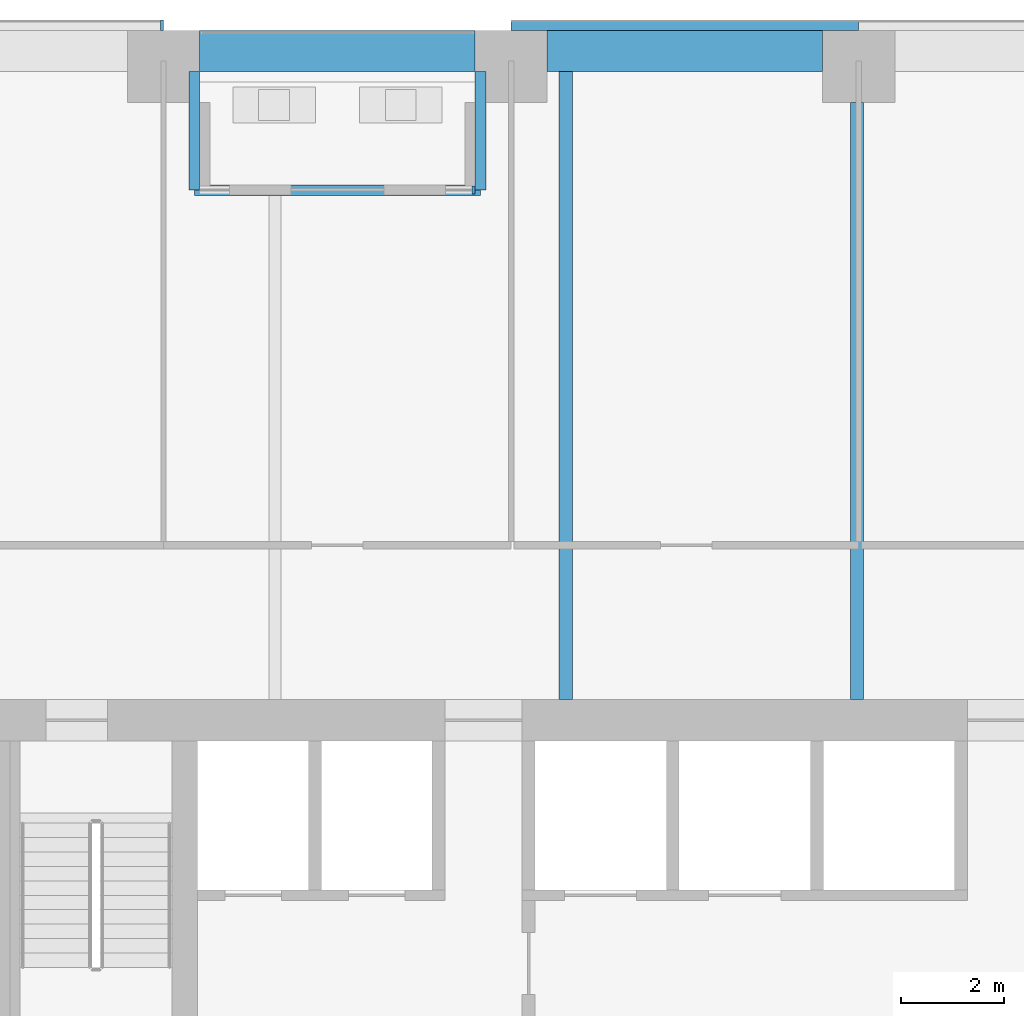
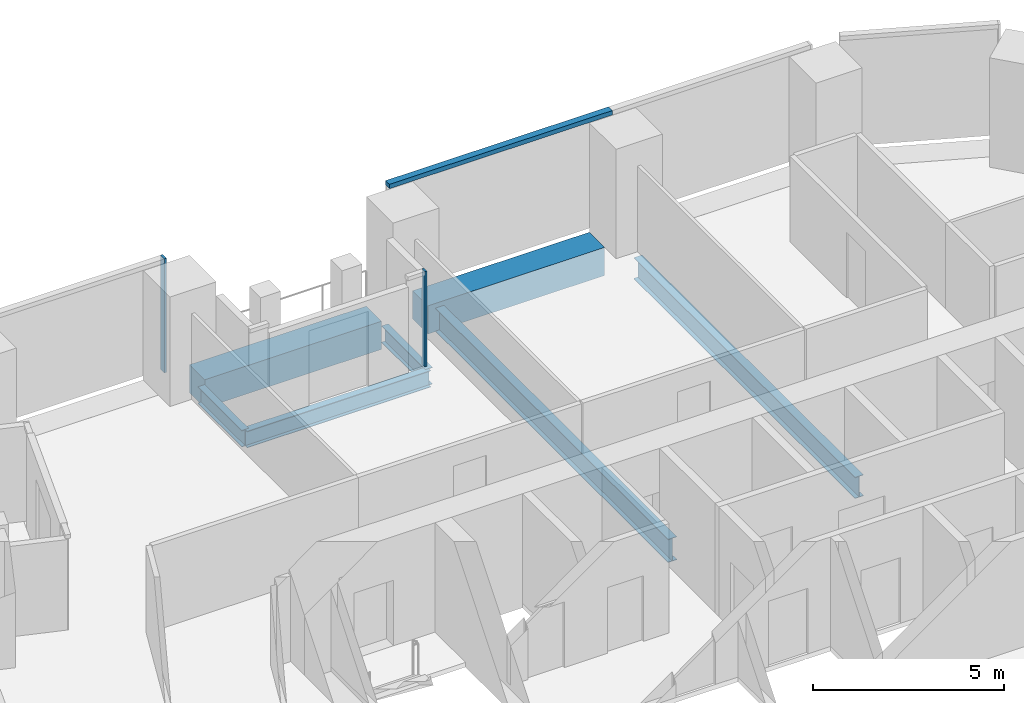
# One storey, part 9 of 26: 7 beams, 3 members, 2 elements without a shape of their own.
"""IFC4 building model written with IfcOpenShell, lengths in metres."""

import ifcopenshell
import ifcopenshell.guid

model = None  # the IFC model being written
_history = None  # IfcOwnerHistory: only IFC2X3 demands one
_inside = {}  # id of a spatial element -> (the spatial element, [elements in it])
_under = {}  # id of a project, library or spatial element -> (it, [spatial elements below it])
_declared = {}  # id of a project -> (the project, [libraries it declares])
_typed = {}  # id of a type object -> (the type object, [elements of that type])
_made_of = {}  # id of a material, layer set ... -> (it, [elements and type objects made of it])


def new_model(schema):
    """Start an empty IFC model of exactly this schema.

    Asked for "IFC4X3", IfcOpenShell would pick the latest addendum, in which some entities
    have other attributes; the version numbers below select the first issue.
    IFC2X3 requires an IfcOwnerHistory on every rooted entity: one is made here for all.
    """
    global model, _history
    if schema == "IFC4X3":
        model = ifcopenshell.file(schema_version=(4, 3, 0, 0))
    else:
        model = ifcopenshell.file(schema=schema)
    _inside.clear()
    _under.clear()
    _declared.clear()
    _typed.clear()
    _made_of.clear()
    _history = None
    if model.schema == "IFC2X3":
        org = make("IfcOrganization", Name="unknown")
        user = make(
            "IfcPersonAndOrganization",
            ThePerson=make("IfcPerson", FamilyName="unknown"),
            TheOrganization=org,
        )
        app = make(
            "IfcApplication",
            ApplicationDeveloper=org,
            Version="unknown",
            ApplicationFullName="unknown",
            ApplicationIdentifier="unknown",
        )
        _history = make(
            "IfcOwnerHistory",
            OwningUser=user,
            OwningApplication=app,
            ChangeAction="ADDED",
            CreationDate=0,
        )
    return model


def make(cls, **values):
    """One entity of the class cls with the attributes given. An attribute that is None is left unset."""
    return model.create_entity(
        cls, **{name: value for name, value in values.items() if value is not None}
    )


def rooted(cls, **values):
    """An entity with a GlobalId (a new one), such as an element, a storey or a relation."""
    return make(cls, GlobalId=ifcopenshell.guid.new(), OwnerHistory=_history, **values)


def si_unit(unit_type, name, prefix=None):
    """IfcSIUnit, for example si_unit("LENGTHUNIT", "METRE", prefix="MILLI")."""
    return make("IfcSIUnit", UnitType=unit_type, Prefix=prefix, Name=name)


def assignment(units):
    """IfcUnitAssignment: the units of a project."""
    return None if units is None else make("IfcUnitAssignment", Units=units)


def point(xyz):
    """IfcCartesianPoint."""
    return None if xyz is None else make("IfcCartesianPoint", Coordinates=xyz)


def direction(xyz):
    """IfcDirection."""
    return None if xyz is None else make("IfcDirection", DirectionRatios=xyz)


def frame(location, z_axis=None, x_axis=None):
    """IfcAxis2Placement3D, a coordinate frame: its origin and axes. An axis left out is left unset."""
    return make(
        "IfcAxis2Placement3D",
        Location=point(location),
        Axis=direction(z_axis),
        RefDirection=direction(x_axis),
    )


def frame_2d(location, x_axis=None):
    """IfcAxis2Placement2D, a coordinate frame in the plane: its origin and x axis."""
    return make(
        "IfcAxis2Placement2D", Location=point(location), RefDirection=direction(x_axis)
    )


def origin():
    """The frame at (0, 0, 0) with its axes left unset."""
    return frame((0.0, 0.0, 0.0))


def origin_2d():
    """The frame at (0, 0) in the plane with its x axis left unset."""
    return frame_2d((0.0, 0.0))


def place(relative_to, where):
    """IfcLocalPlacement: puts the frame where relative to a parent placement (None: the world)."""
    return make(
        "IfcLocalPlacement", PlacementRelTo=relative_to, RelativePlacement=where
    )


def context(
    kind, dimensions, precision=None, world=None, true_north=None, identifier=None
):
    """IfcGeometricRepresentationContext, for example the 3D "Model" context."""
    return make(
        "IfcGeometricRepresentationContext",
        ContextIdentifier=identifier,
        ContextType=kind,
        CoordinateSpaceDimension=dimensions,
        Precision=precision,
        WorldCoordinateSystem=world,
        TrueNorth=true_north,
    )


def subcontext(parent, identifier, kind, view, scale=None):
    """IfcGeometricRepresentationSubContext, for example "Body" below "Model"."""
    return make(
        "IfcGeometricRepresentationSubContext",
        ContextIdentifier=identifier,
        ContextType=kind,
        ParentContext=parent,
        TargetScale=scale,
        TargetView=view,
    )


def project(units=None, contexts=None):
    """IfcProject with its units and contexts."""
    return rooted(
        "IfcProject",
        Name="project",
        RepresentationContexts=contexts,
        UnitsInContext=assignment(units),
    )


def spatial(cls, under=None, at=None, **own):
    """A site, building, storey or space (cls), placed at a placement, below another one or the project."""
    s = rooted(cls, ObjectPlacement=at, **own)
    if under is not None:
        _under.setdefault(under.id(), (under, []))[1].append(s)
    return s


def profile(cls, at=None, kind="AREA", **sizes):
    """A parametric profile (cls). Its sizes go by their IFC names, for example OverallWidth=200.0."""
    return make(cls, ProfileType=kind, Position=at, **sizes)


def rectangle(**sizes):
    """IfcRectangleProfileDef."""
    return profile("IfcRectangleProfileDef", **sizes)


def i_section(**sizes):
    """IfcIShapeProfileDef."""
    return profile("IfcIShapeProfileDef", **sizes)


def extrude(swept, where, along, depth):
    """IfcExtrudedAreaSolid: the profile swept, set in the frame where, extruded along a direction by depth."""
    return make(
        "IfcExtrudedAreaSolid",
        SweptArea=swept,
        Position=where,
        ExtrudedDirection=direction(along),
        Depth=depth,
    )


def shape(context_of_items, identifier, shape_type, items):
    """IfcShapeRepresentation: the items that make up one representation, for example the "Body"."""
    return make(
        "IfcShapeRepresentation",
        ContextOfItems=context_of_items,
        RepresentationIdentifier=identifier,
        RepresentationType=shape_type,
        Items=items,
    )


def material(Name=None, Category=None):
    """IfcMaterial."""
    return make("IfcMaterial", Name=Name, Category=Category)


def layer(
    of_material, thickness, ventilated=None, Name=None, Category=None, Priority=None
):
    """IfcMaterialLayer: one layer of a wall or slab, of a material (None: an air gap)."""
    return make(
        "IfcMaterialLayer",
        Material=of_material,
        LayerThickness=thickness,
        IsVentilated=ventilated,
        Name=Name,
        Category=Category,
        Priority=Priority,
    )


def layer_set(layers, Name=None):
    """IfcMaterialLayerSet."""
    return make("IfcMaterialLayerSet", MaterialLayers=layers, LayerSetName=Name)


def material_profile(
    of_material, cross_section, Name=None, Category=None, Priority=None
):
    """IfcMaterialProfile: a cross section and its material."""
    return make(
        "IfcMaterialProfile",
        Name=Name,
        Material=of_material,
        Profile=cross_section,
        Priority=Priority,
        Category=Category,
    )


def profile_set(profiles, Name=None, composite=None):
    """IfcMaterialProfileSet."""
    return make(
        "IfcMaterialProfileSet",
        Name=Name,
        MaterialProfiles=profiles,
        CompositeProfile=composite,
    )


def made_of(thing, what):
    """Note that an element or type object is made of a material, layer set ...; save() writes the relation."""
    if what is not None:
        _made_of.setdefault(what.id(), (what, []))[1].append(thing)
    return thing


def type_object(cls, material=None, **own):
    """A type object (cls), such as IfcWallType, which elements share."""
    return made_of(rooted(cls, **own), material)


def element(
    cls,
    number,
    at=None,
    inside=None,
    cuts=None,
    type_object=None,
    material=None,
    context=None,
    identifier="Body",
    shape_type=None,
    held_by="IfcProductDefinitionShape",
    body=None,
    shapes=None,
    **own,
):
    """One element of the class cls, such as IfcWall. Its Tag is "e" and its number.

    at: its placement. inside: the storey or other place that contains it. cuts: it is an
    opening in that element (IfcRelVoidsElement). A single representation is given by context,
    identifier, shape_type and body (its items); several are given by shapes. held_by: the class
    of the entity that holds the representations. save() writes the other relations.
    """
    e = rooted(cls, Tag="e%d" % number, ObjectPlacement=at, **own)
    if body is not None:
        shapes = [shape(context, identifier, shape_type, body)]
    if shapes is not None:
        e.Representation = make(held_by, Representations=shapes)
    if inside is not None:
        _inside.setdefault(inside.id(), (inside, []))[1].append(e)
    if cuts is not None:
        rooted(
            "IfcRelVoidsElement", RelatingBuildingElement=cuts, RelatedOpeningElement=e
        )
    if type_object is not None:
        _typed.setdefault(type_object.id(), (type_object, []))[1].append(e)
    return made_of(e, material)


def aggregate(whole, parts):
    """IfcRelAggregates: a whole, such as a stair, and the parts it consists of."""
    return rooted("IfcRelAggregates", RelatingObject=whole, RelatedObjects=parts)


def save(model, path):
    """Write the relations noted so far, then the file.

    IfcRelAggregates (storeys below a building ...), IfcRelContainedInSpatialStructure (elements
    in a storey), IfcRelDefinesByType, IfcRelAssociatesMaterial and IfcRelDeclares: one each for
    every whole, place, type object, material and project.
    """
    for whole, parts in _under.values():
        aggregate(whole, parts)
    for where, things in _inside.values():
        rooted(
            "IfcRelContainedInSpatialStructure",
            RelatedElements=things,
            RelatingStructure=where,
        )
    for kind, things in _typed.values():
        rooted("IfcRelDefinesByType", RelatedObjects=things, RelatingType=kind)
    for what, things in _made_of.values():
        rooted("IfcRelAssociatesMaterial", RelatedObjects=things, RelatingMaterial=what)
    for by, libraries in _declared.values():
        rooted("IfcRelDeclares", RelatingContext=by, RelatedDefinitions=libraries)
    model.write(path)


model = new_model("IFC4")

# Units and contexts
model_context = context("Model", 3, precision=1e-05, world=origin(), true_north=direction((0.0, 1.0)))
body_context = subcontext(model_context, "Body", "Model", "MODEL_VIEW")
ifc_project = project(units=[si_unit("LENGTHUNIT", "METRE"), si_unit("AREAUNIT", "SQUARE_METRE"), si_unit("VOLUMEUNIT", "CUBIC_METRE"), si_unit("PLANEANGLEUNIT", "RADIAN"), si_unit("MASSUNIT", "GRAM", prefix="KILO")], contexts=[model_context])

# Site, building, storey
site_placement = place(None, origin())
site = spatial("IfcSite", under=ifc_project, at=site_placement, CompositionType="ELEMENT")
building_placement = place(site_placement, origin())
building = spatial("IfcBuilding", under=site, at=building_placement, Name="Isthmus Gate Tower", CompositionType="ELEMENT")
storey_placement = place(building_placement, frame((0.0, 0.0, 129.800048828125)))
storey = spatial("IfcBuildingStorey", under=building, at=storey_placement, Name="L31", CompositionType="ELEMENT", Elevation=129.800048828125)

# Curtain wall, members
ifc_material_1 = material(Name="Aluminium, pale champagne anodised", Category="aluminium")
ifc_layer_1 = layer(ifc_material_1, 0.199951171875)
ifc_layer_set_1 = layer_set([ifc_layer_1], Name="CW-1 UNITISED CURTAIN WALL 200 DEEP")
curtain_wall_type_1 = type_object("IfcCurtainWallType", Name="CW-1 UNITISED CURTAIN WALL 200 DEEP", PredefinedType="NOTDEFINED", material=ifc_layer_set_1)
curtain_wall_1_placement = place(storey_placement, origin())
curtain_wall_1 = element("IfcCurtainWall", 1, at=curtain_wall_1_placement, inside=storey, type_object=curtain_wall_type_1, Name="CW-1 N L31", PredefinedType="NOTDEFINED")
ifc_material_2 = material(Name="Aluminium, pale champagne anodised", Category="aluminium")
ifc_material_profile_1 = material_profile(ifc_material_2, rectangle(XDim=0.06005859375, YDim=0.199951171875, at=origin_2d()), Name="60x200")
ifc_profile_set_1 = profile_set([ifc_material_profile_1], Name="Aluminium, pale champagne anodised")
member_type_1 = type_object("IfcMemberType", Name="CW-1 MULLION 60 X 200", PredefinedType="MULLION", material=ifc_profile_set_1)
member_1_placement = place(storey_placement, frame((-11.241943359375, 28.10009765625, 0.0), z_axis=(0.0, 0.0, 1.0), x_axis=(-1.0, 0.0, 0.0)))
member_1 = element("IfcMember", 2, at=member_1_placement, type_object=member_type_1, Name="CW-1 mullion", PredefinedType="MULLION", context=body_context, shape_type="SweptSolid", body=[
    extrude(rectangle(XDim=0.06005859375, YDim=0.199951171875, at=origin_2d()), origin(), (0.0, 0.0, 1.0), 3.64990234375),
])
ifc_material_3 = material(Name="Aluminium, pale champagne anodised", Category="aluminium")
ifc_material_profile_2 = material_profile(ifc_material_3, rectangle(XDim=0.199951171875, YDim=0.139892578125, at=origin_2d()), Name="200x140")
ifc_profile_set_2 = profile_set([ifc_material_profile_2], Name="Aluminium, pale champagne anodised")
member_type_2 = type_object("IfcMemberType", Name="CW-1 TRANSOM 200 X 140", PredefinedType="USERDEFINED", material=ifc_profile_set_2)
member_2_placement = place(storey_placement, frame((2.288330078125, 28.10009765625, 3.579833984375), z_axis=(-1.0, 0.0, 0.0), x_axis=(0.0, -1.0, 0.0)))
member_2 = element("IfcMember", 3, at=member_2_placement, type_object=member_type_2, Name="CW-1 transom", ObjectType="TRANSOM", PredefinedType="USERDEFINED", context=body_context, shape_type="SweptSolid", body=[
    extrude(rectangle(XDim=0.199951171875, YDim=0.139892578125, at=origin_2d()), origin(), (0.0, 0.0, 1.0), 6.75),
])
aggregate(curtain_wall_1, [member_2, member_1])

# Curtain wall, member
ifc_material_4 = material(Name="Aluminium, pale champagne anodised", Category="aluminium")
ifc_layer_2 = layer(ifc_material_4, 0.14990234375)
ifc_layer_set_2 = layer_set([ifc_layer_2], Name="CW-6 LOGGIA BACK WALL GLAZING 150 DEEP")
curtain_wall_type_2 = type_object("IfcCurtainWallType", Name="CW-6 LOGGIA BACK WALL GLAZING 150 DEEP", PredefinedType="NOTDEFINED", material=ifc_layer_set_2)
curtain_wall_2_placement = place(storey_placement, origin())
curtain_wall_2 = element("IfcCurtainWall", 4, at=curtain_wall_2_placement, inside=storey, type_object=curtain_wall_type_2, Name="CW-6 N L31", PredefinedType="NOTDEFINED")
ifc_material_5 = material(Name="Aluminium, pale champagne anodised", Category="aluminium")
ifc_material_profile_3 = material_profile(ifc_material_5, rectangle(XDim=0.06005859375, YDim=0.14990234375, at=origin_2d()), Name="60x150")
ifc_profile_set_3 = profile_set([ifc_material_profile_3], Name="Aluminium, pale champagne anodised")
member_type_3 = type_object("IfcMemberType", Name="CW-6 MULLION 60 X 150", PredefinedType="MULLION", material=ifc_profile_set_3)
member_3_placement = place(storey_placement, frame((-5.191650390625, 24.89990234375, 0.0), z_axis=(0.0, 0.0, 1.0), x_axis=(-1.0, 0.0, 0.0)))
member_3 = element("IfcMember", 5, at=member_3_placement, type_object=member_type_3, Name="CW-6 mullion", PredefinedType="MULLION", context=body_context, shape_type="SweptSolid", body=[
    extrude(rectangle(XDim=0.06005859375, YDim=0.14990234375, at=origin_2d()), origin(), (0.0, 0.0, 1.0), 3.050048828125),
])
aggregate(curtain_wall_2, [member_3])

# Beams
ifc_material_6 = material(Name="Concrete f'c 60 MPa", Category="concrete")
ifc_material_profile_4 = material_profile(ifc_material_6, rectangle(XDim=0.800048828125, YDim=0.89990234375, at=origin_2d()), Name="RC 800X900")
ifc_profile_set_4 = profile_set([ifc_material_profile_4], Name="Concrete f'c 60 MPa")
beam_type_1 = type_object("IfcBeamType", Name="RC SPANDREL 800 X 900", PredefinedType="SPANDREL", material=ifc_profile_set_4)
for number, where, z_axis, x_axis, name in (
    (6, (-10.51171875, 27.60009765625, -0.449951171875), (1.0, 0.0, 0.0), (0.0, 1.0, 0.0), "str-spandrel-L31-27"),
    (7, (-3.76171875, 27.60009765625, -0.449951171875), (1.0, 0.0, 0.0), (0.0, 1.0, 0.0), "str-spandrel-L31-28"),
):
    element("IfcBeam", number, at=place(storey_placement, frame(where, z_axis=z_axis, x_axis=x_axis)), inside=storey, type_object=beam_type_1, Name=name, PredefinedType="SPANDREL", context=body_context, shape_type="SweptSolid", body=[
        extrude(rectangle(XDim=0.800048828125, YDim=0.89990234375, at=origin_2d()), origin(), (0.0, 0.0, 1.0), 5.35009765625),
    ])
ifc_material_7 = material(Name="Structural steel ASTM A992 Gr 50", Category="steel")
ifc_material_profile_5 = material_profile(ifc_material_7, i_section(OverallWidth=0.25390625, OverallDepth=0.679443359375, WebThickness=0.010986328125, FlangeThickness=0.015869140625, at=origin_2d()), Name="W27X84")
ifc_profile_set_5 = profile_set([ifc_material_profile_5], Name="Structural steel ASTM A992 Gr 50")
beam_type_2 = type_object("IfcBeamType", Name="STEEL FLOOR BEAM W27X84", PredefinedType="JOIST", material=ifc_profile_set_5)
beam_1_placement = place(storey_placement, frame((2.25244140625, 15.0, -0.48974609375), z_axis=(0.0, 1.0, 0.0), x_axis=(-1.0, 0.0, 0.0)))
element("IfcBeam", 8, at=beam_1_placement, inside=storey, type_object=beam_type_2, Name="str-beam-L31-08-04", PredefinedType="JOIST", context=body_context, shape_type="SweptSolid", body=[
    extrude(i_section(OverallWidth=0.25390625, OverallDepth=0.679443359375, WebThickness=0.010986328125, FlangeThickness=0.015869140625, at=origin_2d()), origin(), (0.0, 0.0, 1.0), 11.60009765625),
])
ifc_material_8 = material(Name="Structural steel ASTM A992 Gr 50", Category="steel")
ifc_material_profile_6 = material_profile(ifc_material_8, i_section(OverallWidth=0.263427734375, OverallDepth=0.749267578125, WebThickness=0.0126953125, FlangeThickness=0.015869140625, at=origin_2d()), Name="W30X90")
ifc_profile_set_6 = profile_set([ifc_material_profile_6], Name="Structural steel ASTM A992 Gr 50")
beam_type_3 = type_object("IfcBeamType", Name="STEEL FLOOR BEAM W30X90", PredefinedType="JOIST", material=ifc_profile_set_6)
beam_2_placement = place(storey_placement, frame((-3.398193359375, 15.0, -0.524658203125), z_axis=(0.0, 1.0, 0.0), x_axis=(-1.0, 0.0, 0.0)))
element("IfcBeam", 9, at=beam_2_placement, inside=storey, type_object=beam_type_3, Name="str-beam-L31-08-03", PredefinedType="JOIST", context=body_context, shape_type="SweptSolid", body=[
    extrude(i_section(OverallWidth=0.263427734375, OverallDepth=0.749267578125, WebThickness=0.0126953125, FlangeThickness=0.015869140625, at=origin_2d()), origin(), (0.0, 0.0, 1.0), 12.199951171875),
])
ifc_material_9 = material(Name="Structural steel ASTM A992 Gr 50", Category="steel")
ifc_material_profile_7 = material_profile(ifc_material_9, i_section(OverallWidth=0.20947265625, OverallDepth=0.533447265625, WebThickness=0.009521484375, FlangeThickness=0.015869140625, at=origin_2d()), Name="W21X62")
ifc_profile_set_7 = profile_set([ifc_material_profile_7], Name="Structural steel ASTM A992 Gr 50")
beam_type_4 = type_object("IfcBeamType", Name="STEEL TRIMMER W21X62", PredefinedType="BEAM", material=ifc_profile_set_7)
beam_3_placement = place(storey_placement, frame((-5.056884765625, 24.895263671875, -0.416748046875), z_axis=(-1.0, 0.0, 0.0), x_axis=(0.0, -1.0, 0.0)))
element("IfcBeam", 10, at=beam_3_placement, inside=storey, type_object=beam_type_4, Name="str-loggiatrim-L31-01-B", PredefinedType="BEAM", context=body_context, shape_type="SweptSolid", body=[
    extrude(i_section(OverallWidth=0.20947265625, OverallDepth=0.533447265625, WebThickness=0.009521484375, FlangeThickness=0.015869140625, at=origin_2d()), origin(), (0.0, 0.0, 1.0), 5.559814453125),
])
for number, where, z_axis, x_axis, name in (
    (11, (-5.056884765625, 27.199951171875, -0.416748046875), (0.0, -1.0, 0.0), (1.0, 0.0, 0.0), "str-loggiatrim-L31-01-A"),
    (12, (-10.61669921875, 27.199951171875, -0.416748046875), (0.0, -1.0, 0.0), (1.0, 0.0, 0.0), "str-loggiatrim-L31-01-C"),
):
    element("IfcBeam", number, at=place(storey_placement, frame(where, z_axis=z_axis, x_axis=x_axis)), inside=storey, type_object=beam_type_4, Name=name, PredefinedType="BEAM", context=body_context, shape_type="SweptSolid", body=[
        extrude(i_section(OverallWidth=0.20947265625, OverallDepth=0.533447265625, WebThickness=0.009521484375, FlangeThickness=0.015869140625, at=origin_2d()), origin(), (0.0, 0.0, 1.0), 2.3046875),
    ])

save(model, "model.ifc")
